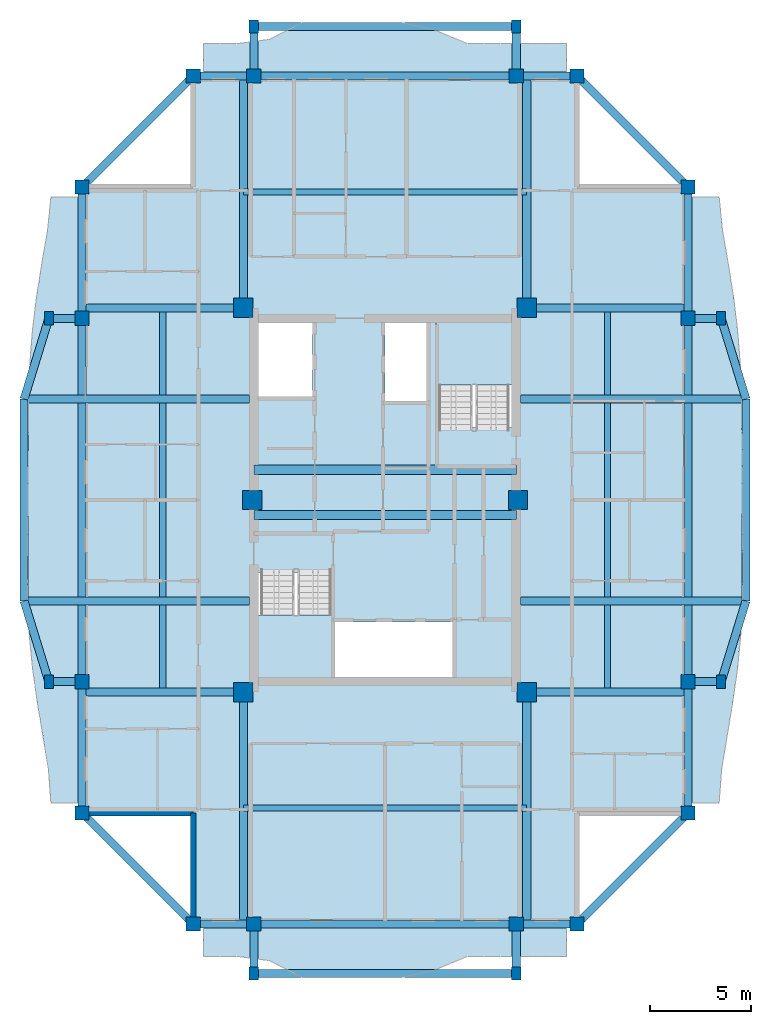
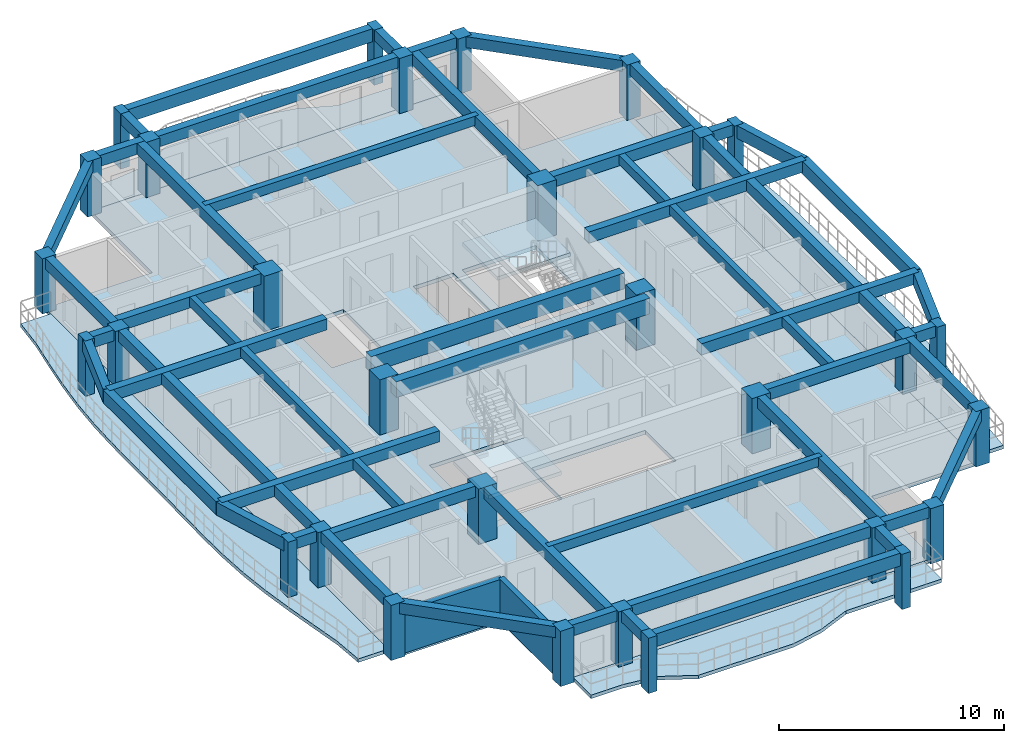
# One storey, part 1 of 12: 50 beams, 30 columns, 7 slabs, 2 walls, 2 elements without a shape of their own.
"""IFC4 building model written with IfcOpenShell, lengths in metres."""

from ifc_helpers import new_model, si_unit, direction, frame, frame_2d, origin, origin_2d, place, context, subcontext, project, spatial, polyline, rectangle, outline, extrude, source, transform, mapped, material, layer, layer_set, material_profile, profile_set, type_object, element, aggregate, save


model = new_model("IFC4")

# Units and contexts
model_context = context("Model", 3, precision=1e-05, world=origin(), true_north=direction((0.0, 1.0)))
body_context = subcontext(model_context, "Body", "Model", "MODEL_VIEW")
ifc_project = project(units=[si_unit("LENGTHUNIT", "METRE"), si_unit("AREAUNIT", "SQUARE_METRE"), si_unit("VOLUMEUNIT", "CUBIC_METRE"), si_unit("PLANEANGLEUNIT", "RADIAN"), si_unit("MASSUNIT", "GRAM", prefix="KILO")], contexts=[model_context])

# Site, building, storey
site_placement = place(None, origin())
site = spatial("IfcSite", under=ifc_project, at=site_placement, CompositionType="ELEMENT")
building_placement = place(site_placement, origin())
building = spatial("IfcBuilding", under=site, at=building_placement, Name="Saelheon Loggia Tower", CompositionType="ELEMENT")
storey_placement = place(building_placement, frame((0.0, 0.0, 240.0)))
storey = spatial("IfcBuildingStorey", under=building, at=storey_placement, Name="L74", CompositionType="ELEMENT", Elevation=240.0)

# Columns
ifc_material_1 = material(Name="Concrete C45/55", Category="concrete")
ifc_material_profile_1 = material_profile(ifc_material_1, rectangle(XDim=0.949951171875, YDim=0.949951171875, at=origin_2d()), Name="RC-950x950")
ifc_profile_set_1 = profile_set([ifc_material_profile_1], Name="Concrete C45/55")
column_type_1 = type_object("IfcColumnType", Name="Col_Core_RC950", PredefinedType="COLUMN", material=ifc_profile_set_1)
shared_shape_1 = source(origin(), body_context, "Body", "SweptSolid", [
    extrude(rectangle(XDim=0.949951171875, YDim=0.949951171875, at=origin_2d()), origin(), (0.0, 0.0, 1.0), 3.0),
])
for number, where, z_axis, x_axis, name in (
    (1, (30.97998046875, 17.47998046875, 0.0), (0.0, 0.0, 1.0), (1.0, 0.0, 0.0), "L74 Core Column CR-SW"),
    (2, (45.02001953125, 17.47998046875, 0.0), (0.0, 0.0, 1.0), (1.0, 0.0, 0.0), "L74 Core Column CR-SE"),
    (3, (30.97998046875, 36.52001953125, 0.0), (0.0, 0.0, 1.0), (1.0, 0.0, 0.0), "L74 Core Column CR-NW"),
    (4, (45.02001953125, 36.52001953125, 0.0), (0.0, 0.0, 1.0), (1.0, 0.0, 0.0), "L74 Core Column CR-NE"),
    (5, (31.419921875, 27.0, 0.0), (0.0, 0.0, 1.0), (1.0, 0.0, 0.0), "L74 Core Column CR-MW"),
    (6, (44.580078125, 27.0, 0.0), (0.0, 0.0, 1.0), (1.0, 0.0, 0.0), "L74 Core Column CR-ME"),
):
    element("IfcColumn", number, at=place(storey_placement, frame(where, z_axis=z_axis, x_axis=x_axis)), inside=storey, type_object=column_type_1, Name=name, PredefinedType="COLUMN", context=body_context, shape_type="MappedRepresentation", body=[
        mapped(shared_shape_1, transform((0.0, 0.0, 0.0), scale=1.0)),
    ])
ifc_material_2 = material(Name="Precast Concrete C45/55", Category="concrete")
ifc_material_profile_2 = material_profile(ifc_material_2, rectangle(XDim=0.449951171875, YDim=0.64990234375, at=origin_2d()), Name="RC-450x650")
ifc_profile_set_2 = profile_set([ifc_material_profile_2], Name="Precast Concrete C45/55")
column_type_2 = type_object("IfcColumnType", Name="Col_Loggia_Pilaster_650", PredefinedType="PILASTER", material=ifc_profile_set_2)
shared_shape_2 = source(origin(), body_context, "Body", "SweptSolid", [
    extrude(rectangle(XDim=0.449951171875, YDim=0.64990234375, at=origin_2d()), origin(), (0.0, 0.0, 1.0), 3.0),
])
for number, where, z_axis, x_axis, name in (
    (7, (31.5, 3.550048828125, 0.0), (0.0, 0.0, 1.0), (1.0, 0.0, 0.0), "L74 Loggia Frame Pilaster LP-S1"),
    (8, (44.5, 3.550048828125, 0.0), (0.0, 0.0, 1.0), (1.0, 0.0, 0.0), "L74 Loggia Frame Pilaster LP-S2"),
    (9, (31.5, 50.449951171875, 0.0), (0.0, 0.0, 1.0), (1.0, 0.0, 0.0), "L74 Loggia Frame Pilaster LP-N1"),
    (10, (44.5, 50.449951171875, 0.0), (0.0, 0.0, 1.0), (1.0, 0.0, 0.0), "L74 Loggia Frame Pilaster LP-N2"),
    (11, (54.64990234375, 18.0, 0.0), (0.0, 0.0, 1.0), (1.0, 0.0, 0.0), "L74 Loggia Frame Pilaster LP-E1"),
    (12, (54.64990234375, 36.0, 0.0), (0.0, 0.0, 1.0), (1.0, 0.0, 0.0), "L74 Loggia Frame Pilaster LP-E2"),
    (13, (21.35009765625, 18.0, 0.0), (0.0, 0.0, 1.0), (1.0, 0.0, 0.0), "L74 Loggia Frame Pilaster LP-W1"),
    (14, (21.35009765625, 36.0, 0.0), (0.0, 0.0, 1.0), (1.0, 0.0, 0.0), "L74 Loggia Frame Pilaster LP-W2"),
):
    element("IfcColumn", number, at=place(storey_placement, frame(where, z_axis=z_axis, x_axis=x_axis)), inside=storey, type_object=column_type_2, Name=name, PredefinedType="PILASTER", context=body_context, shape_type="MappedRepresentation", body=[
        mapped(shared_shape_2, transform((0.0, 0.0, 0.0), scale=1.0)),
    ])
ifc_material_profile_3 = material_profile(ifc_material_1, rectangle(XDim=0.699951171875, YDim=0.699951171875, at=origin_2d()), Name="RC-700x700")
ifc_profile_set_3 = profile_set([ifc_material_profile_3], Name="Concrete C45/55")
column_type_3 = type_object("IfcColumnType", Name="Col_Perim_RC700", PredefinedType="COLUMN", material=ifc_profile_set_3)
shared_shape_3 = source(origin(), body_context, "Body", "SweptSolid", [
    extrude(rectangle(XDim=0.699951171875, YDim=0.699951171875, at=origin_2d()), origin(), (0.0, 0.0, 1.0), 3.0),
])
for number, where, z_axis, x_axis, name in (
    (15, (28.5, 6.0, 0.0), (0.0, 0.0, 1.0), (1.0, 0.0, 0.0), "L74 Perimeter Column TP-S1"),
    (16, (31.5, 6.0, 0.0), (0.0, 0.0, 1.0), (1.0, 0.0, 0.0), "L74 Perimeter Column TP-SA"),
    (17, (44.5, 6.0, 0.0), (0.0, 0.0, 1.0), (1.0, 0.0, 0.0), "L74 Perimeter Column TP-SB"),
    (18, (47.5, 6.0, 0.0), (0.0, 0.0, 1.0), (1.0, 0.0, 0.0), "L74 Perimeter Column TP-S2"),
    (19, (53.0, 11.5, 0.0), (0.0, 0.0, 1.0), (1.0, 0.0, 0.0), "L74 Perimeter Column TP-E1"),
    (20, (53.0, 18.0, 0.0), (0.0, 0.0, 1.0), (1.0, 0.0, 0.0), "L74 Perimeter Column TP-EA"),
    (21, (53.0, 36.0, 0.0), (0.0, 0.0, 1.0), (1.0, 0.0, 0.0), "L74 Perimeter Column TP-EB"),
    (22, (53.0, 42.5, 0.0), (0.0, 0.0, 1.0), (1.0, 0.0, 0.0), "L74 Perimeter Column TP-E2"),
    (23, (47.5, 48.0, 0.0), (0.0, 0.0, 1.0), (1.0, 0.0, 0.0), "L74 Perimeter Column TP-N2"),
    (24, (44.5, 48.0, 0.0), (0.0, 0.0, 1.0), (1.0, 0.0, 0.0), "L74 Perimeter Column TP-NB"),
    (25, (31.5, 48.0, 0.0), (0.0, 0.0, 1.0), (1.0, 0.0, 0.0), "L74 Perimeter Column TP-NA"),
    (26, (28.5, 48.0, 0.0), (0.0, 0.0, 1.0), (1.0, 0.0, 0.0), "L74 Perimeter Column TP-N1"),
    (27, (23.0, 42.5, 0.0), (0.0, 0.0, 1.0), (1.0, 0.0, 0.0), "L74 Perimeter Column TP-W2"),
    (28, (23.0, 36.0, 0.0), (0.0, 0.0, 1.0), (1.0, 0.0, 0.0), "L74 Perimeter Column TP-WB"),
    (29, (23.0, 18.0, 0.0), (0.0, 0.0, 1.0), (1.0, 0.0, 0.0), "L74 Perimeter Column TP-WA"),
    (30, (23.0, 11.5, 0.0), (0.0, 0.0, 1.0), (1.0, 0.0, 0.0), "L74 Perimeter Column TP-W1"),
):
    element("IfcColumn", number, at=place(storey_placement, frame(where, z_axis=z_axis, x_axis=x_axis)), inside=storey, type_object=column_type_3, Name=name, PredefinedType="COLUMN", context=body_context, shape_type="MappedRepresentation", body=[
        mapped(shared_shape_3, transform((0.0, 0.0, 0.0), scale=1.0)),
    ])

# Beams
ifc_material_3 = material(Name="Concrete C50/60", Category="concrete")
ifc_material_profile_4 = material_profile(ifc_material_3, rectangle(XDim=0.449951171875, YDim=0.85009765625, at=origin_2d()), Name="RC-450x850")
ifc_profile_set_4 = profile_set([ifc_material_profile_4], Name="Concrete C50/60")
beam_type_1 = type_object("IfcBeamType", Name="Beam_CoreLintel_RC450x850", PredefinedType="LINTEL", material=ifc_profile_set_4)
shared_shape_4 = source(origin(), body_context, "Body", "SweptSolid", [
    extrude(rectangle(XDim=0.449951171875, YDim=0.85009765625, at=origin_2d()), origin(), (0.0, 0.0, 1.0), 13.0),
])
for number, where, z_axis, x_axis, name in (
    (31, (31.5, 26.25, 2.574951171875), (1.0, 0.0, 0.0), (0.0, 1.0, 0.0), "L74 Core Coupling Lintel 1"),
    (32, (31.5, 28.5, 2.574951171875), (1.0, 0.0, 0.0), (0.0, 1.0, 0.0), "L74 Core Coupling Lintel 2"),
):
    element("IfcBeam", number, at=place(storey_placement, frame(where, z_axis=z_axis, x_axis=x_axis)), inside=storey, type_object=beam_type_1, Name=name, PredefinedType="LINTEL", context=body_context, shape_type="MappedRepresentation", body=[
        mapped(shared_shape_4, transform((0.0, 0.0, 0.0), scale=1.0)),
    ])
ifc_material_profile_5 = material_profile(ifc_material_2, rectangle(XDim=0.39990234375, YDim=0.60009765625, at=origin_2d()), Name="RC-400x600")
ifc_profile_set_5 = profile_set([ifc_material_profile_5], Name="Precast Concrete C45/55")
beam_type_2 = type_object("IfcBeamType", Name="Beam_LoggiaTie_RC400x600", PredefinedType="BEAM", material=ifc_profile_set_5)
shared_shape_5 = source(origin(), body_context, "Body", "SweptSolid", [
    extrude(rectangle(XDim=0.39990234375, YDim=0.60009765625, at=origin_2d()), origin(), (0.0, 0.0, 1.0), 2.449951171875),
])
for number, where, z_axis, x_axis, name in (
    (33, (31.5, 6.0, 2.699951171875), (0.0, -1.0, 0.0), (1.0, 0.0, 0.0), "L74 Loggia Frame Tie Beam LP-S1"),
    (34, (44.5, 6.0, 2.699951171875), (0.0, -1.0, 0.0), (1.0, 0.0, 0.0), "L74 Loggia Frame Tie Beam LP-S2"),
    (35, (31.5, 48.0, 2.699951171875), (0.0, 1.0, 0.0), (-1.0, 0.0, 0.0), "L74 Loggia Frame Tie Beam LP-N1"),
    (36, (44.5, 48.0, 2.699951171875), (0.0, 1.0, 0.0), (-1.0, 0.0, 0.0), "L74 Loggia Frame Tie Beam LP-N2"),
):
    element("IfcBeam", number, at=place(storey_placement, frame(where, z_axis=z_axis, x_axis=x_axis)), inside=storey, type_object=beam_type_2, Name=name, PredefinedType="BEAM", context=body_context, shape_type="MappedRepresentation", body=[
        mapped(shared_shape_5, transform((0.0, 0.0, 0.0), scale=1.0)),
    ])
ifc_material_4 = material(Name="Concrete C40/50", Category="concrete")
ifc_material_profile_6 = material_profile(ifc_material_4, rectangle(XDim=0.300048828125, YDim=0.5, at=origin_2d()), Name="RC-300x500")
ifc_profile_set_6 = profile_set([ifc_material_profile_6], Name="Concrete C40/50")
beam_type_3 = type_object("IfcBeamType", Name="Beam_Joist_RC300x500", PredefinedType="JOIST", material=ifc_profile_set_6)
shared_shape_6 = source(origin(), body_context, "Body", "SweptSolid", [
    extrude(rectangle(XDim=0.300048828125, YDim=0.5, at=origin_2d()), origin(), (0.0, 0.0, 1.0), 14.0400390625),
])
for number, where, z_axis, x_axis, name in (
    (37, (30.97998046875, 11.739990234375, 2.75), (1.0, 0.0, 0.0), (0.0, 1.0, 0.0), "L74 South Floor Joist"),
    (38, (30.97998046875, 42.260009765625, 2.75), (1.0, 0.0, 0.0), (0.0, 1.0, 0.0), "L74 North Floor Joist"),
):
    element("IfcBeam", number, at=place(storey_placement, frame(where, z_axis=z_axis, x_axis=x_axis)), inside=storey, type_object=beam_type_3, Name=name, PredefinedType="JOIST", context=body_context, shape_type="MappedRepresentation", body=[
        mapped(shared_shape_6, transform((0.0, 0.0, 0.0), scale=1.0)),
    ])
shared_shape_7 = source(origin(), body_context, "Body", "SweptSolid", [
    extrude(rectangle(XDim=0.300048828125, YDim=0.5, at=origin_2d()), origin(), (0.0, 0.0, 1.0), 19.0400390625),
])
for number, where, z_axis, x_axis, name in (
    (39, (26.989990234375, 17.47998046875, 2.75), (0.0, 1.0, 0.0), (-1.0, 0.0, 0.0), "L74 West Floor Joist"),
    (40, (49.010009765625, 17.47998046875, 2.75), (0.0, 1.0, 0.0), (-1.0, 0.0, 0.0), "L74 East Floor Joist"),
):
    element("IfcBeam", number, at=place(storey_placement, frame(where, z_axis=z_axis, x_axis=x_axis)), inside=storey, type_object=beam_type_3, Name=name, PredefinedType="JOIST", context=body_context, shape_type="MappedRepresentation", body=[
        mapped(shared_shape_7, transform((0.0, 0.0, 0.0), scale=1.0)),
    ])
shared_shape_8 = source(origin(), body_context, "Body", "SweptSolid", [
    extrude(rectangle(XDim=0.39990234375, YDim=0.60009765625, at=origin_2d()), origin(), (0.0, 0.0, 1.0), 1.64990234375),
])
for number, where, z_axis, x_axis, name in (
    (41, (53.0, 18.0, 2.699951171875), (1.0, 0.0, 0.0), (0.0, 1.0, 0.0), "L74 Loggia Frame Tie Beam LP-E1"),
    (42, (53.0, 36.0, 2.699951171875), (1.0, 0.0, 0.0), (0.0, 1.0, 0.0), "L74 Loggia Frame Tie Beam LP-E2"),
    (43, (23.0, 18.0, 2.699951171875), (-1.0, 0.0, 0.0), (0.0, -1.0, 0.0), "L74 Loggia Frame Tie Beam LP-W1"),
    (44, (23.0, 36.0, 2.699951171875), (-1.0, 0.0, 0.0), (0.0, -1.0, 0.0), "L74 Loggia Frame Tie Beam LP-W2"),
):
    element("IfcBeam", number, at=place(storey_placement, frame(where, z_axis=z_axis, x_axis=x_axis)), inside=storey, type_object=beam_type_2, Name=name, PredefinedType="BEAM", context=body_context, shape_type="MappedRepresentation", body=[
        mapped(shared_shape_8, transform((0.0, 0.0, 0.0), scale=1.0)),
    ])
ifc_material_profile_7 = material_profile(ifc_material_2, rectangle(XDim=0.39990234375, YDim=0.699951171875, at=origin_2d()), Name="RC-400x700")
ifc_profile_set_7 = profile_set([ifc_material_profile_7], Name="Precast Concrete C45/55")
beam_type_4 = type_object("IfcBeamType", Name="Beam_LoggiaSpandrel_RC400x700", PredefinedType="SPANDREL", material=ifc_profile_set_7)
shared_shape_9 = source(origin(), body_context, "Body", "SweptSolid", [
    extrude(rectangle(XDim=0.39990234375, YDim=0.699951171875, at=origin_2d()), origin(), (0.0, 0.0, 1.0), 13.0),
])
for number, where, z_axis, x_axis, name in (
    (45, (31.5, 3.550048828125, 2.64990234375), (1.0, 0.0, 0.0), (0.0, 1.0, 0.0), "L74 Loggia Spandrel Beam S"),
    (46, (31.5, 50.449951171875, 2.64990234375), (1.0, 0.0, 0.0), (0.0, 1.0, 0.0), "L74 Loggia Spandrel Beam N"),
):
    element("IfcBeam", number, at=place(storey_placement, frame(where, z_axis=z_axis, x_axis=x_axis)), inside=storey, type_object=beam_type_4, Name=name, PredefinedType="SPANDREL", context=body_context, shape_type="MappedRepresentation", body=[
        mapped(shared_shape_9, transform((0.0, 0.0, 0.0), scale=1.0)),
    ])
shared_shape_10 = source(origin(), body_context, "Body", "SweptSolid", [
    extrude(rectangle(XDim=0.39990234375, YDim=0.699951171875, at=origin_2d()), origin(), (0.0, 0.0, 1.0), 4.184814453125),
])
for number, where, z_axis, x_axis, name in (
    (47, (54.64990234375, 18.0, 2.64990234375), (0.293913664135, 0.955831971653, 0.0), (-0.955831971653, 0.293913664135, 0.0), "L74 Curved Loggia Spandrel E 1"),
    (48, (55.8798828125, 32.0, 2.64990234375), (-0.293913664135, 0.955831971653, 0.0), (-0.955831971653, -0.293913664135, 0.0), "L74 Curved Loggia Spandrel E 3"),
    (49, (21.35009765625, 18.0, 2.64990234375), (-0.293913664135, 0.955831971653, 0.0), (-0.955831971653, -0.293913664135, 0.0), "L74 Curved Loggia Spandrel W 1"),
    (50, (20.1201171875, 32.0, 2.64990234375), (0.293913664135, 0.955831971653, 0.0), (-0.955831971653, 0.293913664135, 0.0), "L74 Curved Loggia Spandrel W 3"),
):
    element("IfcBeam", number, at=place(storey_placement, frame(where, z_axis=z_axis, x_axis=x_axis)), inside=storey, type_object=beam_type_4, Name=name, PredefinedType="SPANDREL", context=body_context, shape_type="MappedRepresentation", body=[
        mapped(shared_shape_10, transform((0.0, 0.0, 0.0), scale=1.0)),
    ])
shared_shape_11 = source(origin(), body_context, "Body", "SweptSolid", [
    extrude(rectangle(XDim=0.39990234375, YDim=0.699951171875, at=origin_2d()), origin(), (0.0, 0.0, 1.0), 10.0),
])
for number, where, z_axis, x_axis, name in (
    (51, (55.8798828125, 22.0, 2.64990234375), (0.0, 1.0, 0.0), (-1.0, 0.0, 0.0), "L74 Curved Loggia Spandrel E 2"),
    (52, (20.1201171875, 22.0, 2.64990234375), (0.0, 1.0, 0.0), (-1.0, 0.0, 0.0), "L74 Curved Loggia Spandrel W 2"),
):
    element("IfcBeam", number, at=place(storey_placement, frame(where, z_axis=z_axis, x_axis=x_axis)), inside=storey, type_object=beam_type_4, Name=name, PredefinedType="SPANDREL", context=body_context, shape_type="MappedRepresentation", body=[
        mapped(shared_shape_11, transform((0.0, 0.0, 0.0), scale=1.0)),
    ])
ifc_material_profile_8 = material_profile(ifc_material_4, rectangle(XDim=0.39990234375, YDim=0.60009765625, at=origin_2d()), Name="RC-400x600")
ifc_profile_set_8 = profile_set([ifc_material_profile_8], Name="Concrete C40/50")
beam_type_5 = type_object("IfcBeamType", Name="Beam_PerimUpper_RC400x600", PredefinedType="BEAM", material=ifc_profile_set_8)
shared_shape_12 = source(origin(), body_context, "Body", "SweptSolid", [
    extrude(rectangle(XDim=0.39990234375, YDim=0.60009765625, at=origin_2d()), origin(), (0.0, 0.0, 1.0), 13.0),
])
for number, where, z_axis, x_axis, name in (
    (53, (31.5, 6.0, 2.699951171875), (1.0, 0.0, 0.0), (0.0, 1.0, 0.0), "L74 Perimeter Frame Girder 02"),
    (54, (44.5, 48.0, 2.699951171875), (-1.0, 0.0, 0.0), (0.0, -1.0, 0.0), "L74 Perimeter Frame Girder 10"),
):
    element("IfcBeam", number, at=place(storey_placement, frame(where, z_axis=z_axis, x_axis=x_axis)), inside=storey, type_object=beam_type_5, Name=name, PredefinedType="BEAM", context=body_context, shape_type="MappedRepresentation", body=[
        mapped(shared_shape_12, transform((0.0, 0.0, 0.0), scale=1.0)),
    ])
shared_shape_13 = source(origin(), body_context, "Body", "SweptSolid", [
    extrude(rectangle(XDim=0.39990234375, YDim=0.60009765625, at=origin_2d()), origin(), (0.0, 0.0, 1.0), 18.0),
])
for number, where, z_axis, x_axis, name in (
    (55, (53.0, 18.0, 2.699951171875), (0.0, 1.0, 0.0), (-1.0, 0.0, 0.0), "L74 Perimeter Frame Girder 06"),
    (56, (23.0, 36.0, 2.699951171875), (0.0, -1.0, 0.0), (1.0, 0.0, 0.0), "L74 Perimeter Frame Girder 14"),
):
    element("IfcBeam", number, at=place(storey_placement, frame(where, z_axis=z_axis, x_axis=x_axis)), inside=storey, type_object=beam_type_5, Name=name, PredefinedType="BEAM", context=body_context, shape_type="MappedRepresentation", body=[
        mapped(shared_shape_13, transform((0.0, 0.0, 0.0), scale=1.0)),
    ])
ifc_material_profile_9 = material_profile(ifc_material_4, rectangle(XDim=0.39990234375, YDim=0.60009765625, at=origin_2d()), Name="RC-400x600")
ifc_profile_set_9 = profile_set([ifc_material_profile_9], Name="Concrete C40/50")
beam_type_6 = type_object("IfcBeamType", Name="Beam_UpperGirder_RC400x600", PredefinedType="BEAM", material=ifc_profile_set_9)
shared_shape_14 = source(origin(), body_context, "Body", "SweptSolid", [
    extrude(rectangle(XDim=0.39990234375, YDim=0.60009765625, at=origin_2d()), origin(), (0.0, 0.0, 1.0), 11.47998046875),
])
for number, where, z_axis, x_axis, name in (
    (57, (30.97998046875, 17.47998046875, 2.699951171875), (0.0, -1.0, 0.0), (1.0, 0.0, 0.0), "L74 Radial Floor Girder RAD-SW-S"),
    (58, (45.02001953125, 17.47998046875, 2.699951171875), (0.0, -1.0, 0.0), (1.0, 0.0, 0.0), "L74 Radial Floor Girder RAD-SE-S"),
    (59, (30.97998046875, 36.52001953125, 2.699951171875), (0.0, 1.0, 0.0), (-1.0, 0.0, 0.0), "L74 Radial Floor Girder RAD-NW-N"),
    (60, (45.02001953125, 36.52001953125, 2.699951171875), (0.0, 1.0, 0.0), (-1.0, 0.0, 0.0), "L74 Radial Floor Girder RAD-NE-N"),
):
    element("IfcBeam", number, at=place(storey_placement, frame(where, z_axis=z_axis, x_axis=x_axis)), inside=storey, type_object=beam_type_6, Name=name, PredefinedType="BEAM", context=body_context, shape_type="MappedRepresentation", body=[
        mapped(shared_shape_14, transform((0.0, 0.0, 0.0), scale=1.0)),
    ])
shared_shape_15 = source(origin(), body_context, "Body", "SweptSolid", [
    extrude(rectangle(XDim=0.39990234375, YDim=0.60009765625, at=origin_2d()), origin(), (0.0, 0.0, 1.0), 6.5),
])
for number, where, z_axis, x_axis, name in (
    (61, (53.0, 11.5, 2.699951171875), (0.0, 1.0, 0.0), (-1.0, 0.0, 0.0), "L74 Perimeter Frame Girder 05"),
    (62, (53.0, 36.0, 2.699951171875), (0.0, 1.0, 0.0), (-1.0, 0.0, 0.0), "L74 Perimeter Frame Girder 07"),
    (63, (23.0, 42.5, 2.699951171875), (0.0, -1.0, 0.0), (1.0, 0.0, 0.0), "L74 Perimeter Frame Girder 13"),
    (64, (23.0, 18.0, 2.699951171875), (0.0, -1.0, 0.0), (1.0, 0.0, 0.0), "L74 Perimeter Frame Girder 15"),
):
    element("IfcBeam", number, at=place(storey_placement, frame(where, z_axis=z_axis, x_axis=x_axis)), inside=storey, type_object=beam_type_5, Name=name, PredefinedType="BEAM", context=body_context, shape_type="MappedRepresentation", body=[
        mapped(shared_shape_15, transform((0.0, 0.0, 0.0), scale=1.0)),
    ])
shared_shape_16 = source(origin(), body_context, "Body", "SweptSolid", [
    extrude(rectangle(XDim=0.39990234375, YDim=0.60009765625, at=origin_2d()), origin(), (0.0, 0.0, 1.0), 7.778076171875),
])
for number, where, z_axis, x_axis, name in (
    (65, (47.5, 6.0, 2.699951171875), (0.707106781187, 0.707106781187, 0.0), (-0.707106781187, 0.707106781187, 0.0), "L74 Perimeter Frame Girder 04"),
    (66, (53.0, 42.5, 2.699951171875), (-0.707106781187, 0.707106781187, 0.0), (-0.707106781187, -0.707106781187, 0.0), "L74 Perimeter Frame Girder 08"),
    (67, (28.5, 48.0, 2.699951171875), (-0.707106781187, -0.707106781187, 0.0), (0.707106781187, -0.707106781187, 0.0), "L74 Perimeter Frame Girder 12"),
    (68, (23.0, 11.5, 2.699951171875), (0.707106781187, -0.707106781187, 0.0), (0.707106781187, 0.707106781187, 0.0), "L74 Perimeter Frame Girder 16"),
):
    element("IfcBeam", number, at=place(storey_placement, frame(where, z_axis=z_axis, x_axis=x_axis)), inside=storey, type_object=beam_type_5, Name=name, PredefinedType="BEAM", context=body_context, shape_type="MappedRepresentation", body=[
        mapped(shared_shape_16, transform((0.0, 0.0, 0.0), scale=1.0)),
    ])
shared_shape_17 = source(origin(), body_context, "Body", "SweptSolid", [
    extrude(rectangle(XDim=0.39990234375, YDim=0.60009765625, at=origin_2d()), origin(), (0.0, 0.0, 1.0), 3.0),
])
for number, where, z_axis, x_axis, name in (
    (69, (28.5, 6.0, 2.699951171875), (1.0, 0.0, 0.0), (0.0, 1.0, 0.0), "L74 Perimeter Frame Girder 01"),
    (70, (44.5, 6.0, 2.699951171875), (1.0, 0.0, 0.0), (0.0, 1.0, 0.0), "L74 Perimeter Frame Girder 03"),
    (71, (47.5, 48.0, 2.699951171875), (-1.0, 0.0, 0.0), (0.0, -1.0, 0.0), "L74 Perimeter Frame Girder 09"),
    (72, (31.5, 48.0, 2.699951171875), (-1.0, 0.0, 0.0), (0.0, -1.0, 0.0), "L74 Perimeter Frame Girder 11"),
):
    element("IfcBeam", number, at=place(storey_placement, frame(where, z_axis=z_axis, x_axis=x_axis)), inside=storey, type_object=beam_type_5, Name=name, PredefinedType="BEAM", context=body_context, shape_type="MappedRepresentation", body=[
        mapped(shared_shape_17, transform((0.0, 0.0, 0.0), scale=1.0)),
    ])
shared_shape_18 = source(origin(), body_context, "Body", "SweptSolid", [
    extrude(rectangle(XDim=0.39990234375, YDim=0.60009765625, at=origin_2d()), origin(), (0.0, 0.0, 1.0), 7.97998046875),
])
for number, where, z_axis, x_axis, name in (
    (73, (30.97998046875, 17.47998046875, 2.699951171875), (-1.0, 0.0, 0.0), (0.0, -1.0, 0.0), "L74 Radial Floor Girder RAD-SW-W"),
    (74, (30.97998046875, 36.52001953125, 2.699951171875), (-1.0, 0.0, 0.0), (0.0, -1.0, 0.0), "L74 Radial Floor Girder RAD-NW-W"),
    (75, (45.02001953125, 17.47998046875, 2.699951171875), (1.0, 0.0, 0.0), (0.0, 1.0, 0.0), "L74 Radial Floor Girder RAD-SE-E"),
    (76, (45.02001953125, 36.52001953125, 2.699951171875), (1.0, 0.0, 0.0), (0.0, 1.0, 0.0), "L74 Radial Floor Girder RAD-NE-E"),
):
    element("IfcBeam", number, at=place(storey_placement, frame(where, z_axis=z_axis, x_axis=x_axis)), inside=storey, type_object=beam_type_6, Name=name, PredefinedType="BEAM", context=body_context, shape_type="MappedRepresentation", body=[
        mapped(shared_shape_18, transform((0.0, 0.0, 0.0), scale=1.0)),
    ])
shared_shape_19 = source(origin(), body_context, "Body", "SweptSolid", [
    extrude(rectangle(XDim=0.39990234375, YDim=0.60009765625, at=origin_2d()), origin(), (0.0, 0.0, 1.0), 11.159912109375),
])
for number, where, z_axis, x_axis, name in (
    (77, (44.719970703125, 22.0, 2.699951171875), (1.0, 0.0, 0.0), (0.0, 1.0, 0.0), "L74 Curved Facade Outrigger Beam E 1"),
    (78, (44.719970703125, 32.0, 2.699951171875), (1.0, 0.0, 0.0), (0.0, 1.0, 0.0), "L74 Curved Facade Outrigger Beam E 2"),
    (79, (31.280029296875, 22.0, 2.699951171875), (-1.0, 0.0, 0.0), (0.0, -1.0, 0.0), "L74 Curved Facade Outrigger Beam W 1"),
    (80, (31.280029296875, 32.0, 2.699951171875), (-1.0, 0.0, 0.0), (0.0, -1.0, 0.0), "L74 Curved Facade Outrigger Beam W 2"),
):
    element("IfcBeam", number, at=place(storey_placement, frame(where, z_axis=z_axis, x_axis=x_axis)), inside=storey, type_object=beam_type_2, Name=name, PredefinedType="BEAM", context=body_context, shape_type="MappedRepresentation", body=[
        mapped(shared_shape_19, transform((0.0, 0.0, 0.0), scale=1.0)),
    ])

# Slabs
ifc_layer_1 = layer(ifc_material_2, 0.18994140625)
ifc_layer_set_1 = layer_set([ifc_layer_1], Name="Precast Concrete C45/55")
slab_type_1 = type_object("IfcSlabType", Name="Slab_Loggia_Ext_190", PredefinedType="FLOOR", material=ifc_layer_set_1)
slab_1_placement = place(storey_placement, frame((0.0, 0.0, -0.18994140625)))
element("IfcSlab", 81, at=slab_1_placement, inside=storey, type_object=slab_type_1, Name="L74 Loggia Balcony Slab S", PredefinedType="FLOOR", context=body_context, shape_type="SweptSolid", body=[
    extrude(outline(polyline([(29.0, 4.39990234375), (30.636474609375, 4.39990234375), (32.272705078125, 4.1875), (33.9091796875, 3.35009765625), (35.54541015625, 3.35009765625), (37.181884765625, 3.35009765625), (38.818115234375, 3.35009765625), (40.45458984375, 3.716796875), (42.0908203125, 4.39990234375), (43.727294921875, 4.39990234375), (45.363525390625, 4.39990234375), (47.0, 4.39990234375), (47.0, 6.0), (29.0, 6.0), (29.0, 4.39990234375)])), origin(), (0.0, 0.0, 1.0), 0.18994140625),
])
slab_2_placement = place(storey_placement, frame((0.0, 0.0, -0.18994140625)))
element("IfcSlab", 82, at=slab_2_placement, inside=storey, type_object=slab_type_1, Name="L74 Loggia Balcony Slab N", PredefinedType="FLOOR", context=body_context, shape_type="SweptSolid", body=[
    extrude(outline(polyline([(29.0, 48.0), (47.0, 48.0), (47.0, 49.60009765625), (45.363525390625, 49.60009765625), (43.727294921875, 49.60009765625), (42.0908203125, 49.60009765625), (40.45458984375, 50.283203125), (38.818115234375, 50.64990234375), (37.181884765625, 50.64990234375), (35.54541015625, 50.64990234375), (33.9091796875, 50.64990234375), (32.272705078125, 49.8125), (30.636474609375, 49.60009765625), (29.0, 49.60009765625), (29.0, 48.0)])), origin(), (0.0, 0.0, 1.0), 0.18994140625),
])
slab_3_placement = place(storey_placement, frame((0.0, 0.0, -0.18994140625)))
element("IfcSlab", 83, at=slab_3_placement, inside=storey, type_object=slab_type_1, Name="L74 Loggia Balcony Slab E", PredefinedType="FLOOR", context=body_context, shape_type="SweptSolid", body=[
    extrude(outline(polyline([(53.0, 12.0), (54.550048828125, 12.0), (54.673095703125, 13.666748046875), (54.950439453125, 15.333251953125), (55.226318359375, 17.0), (55.461181640625, 18.666748046875), (55.624755859375, 20.333251953125), (55.70849609375, 22.0), (55.726318359375, 23.666748046875), (55.70751953125, 25.333251953125), (55.68359375, 27.0), (55.671875, 28.666748046875), (55.67041015625, 30.333251953125), (55.656494140625, 32.0), (55.599609375, 33.666748046875), (55.473388671875, 35.333251953125), (55.27099609375, 37.0), (55.0078125, 38.666748046875), (54.718505859375, 40.333251953125), (54.550048828125, 42.0), (53.0, 42.0), (53.0, 12.0)])), origin(), (0.0, 0.0, 1.0), 0.18994140625),
])
slab_4_placement = place(storey_placement, frame((0.0, 0.0, -0.18994140625)))
element("IfcSlab", 84, at=slab_4_placement, inside=storey, type_object=slab_type_1, Name="L74 Loggia Balcony Slab W", PredefinedType="FLOOR", context=body_context, shape_type="SweptSolid", body=[
    extrude(outline(polyline([(23.0, 12.0), (23.0, 42.0), (21.449951171875, 42.0), (21.281494140625, 40.333251953125), (20.9921875, 38.666748046875), (20.72900390625, 37.0), (20.526611328125, 35.333251953125), (20.400390625, 33.666748046875), (20.343505859375, 32.0), (20.32958984375, 30.333251953125), (20.328125, 28.666748046875), (20.31640625, 27.0), (20.29248046875, 25.333251953125), (20.273681640625, 23.666748046875), (20.29150390625, 22.0), (20.375244140625, 20.333251953125), (20.538818359375, 18.666748046875), (20.773681640625, 17.0), (21.049560546875, 15.333251953125), (21.326904296875, 13.666748046875), (21.449951171875, 12.0), (23.0, 12.0)])), origin(), (0.0, 0.0, 1.0), 0.18994140625),
])

# Stair, slab
stair_type = type_object("IfcStairType", Name="Stair_Escape_Core", PredefinedType="HALF_TURN_STAIR", material=ifc_material_4)
stair_1_placement = place(storey_placement, origin())
stair_1 = element("IfcStair", 85, at=stair_1_placement, inside=storey, type_object=stair_type, Name="L74 Special Escape Stair ST1", PredefinedType="HALF_TURN_STAIR")
ifc_layer_2 = layer(ifc_material_4, 0.199951171875)
ifc_layer_set_2 = layer_set([ifc_layer_2], Name="Concrete C40/50")
slab_type_2 = type_object("IfcSlabType", Name="Slab_StairLanding_ST1", PredefinedType="LANDING", material=ifc_layer_set_2)
slab_5_placement = place(storey_placement, frame((0.0, 0.0, 1.300048828125)))
slab_5 = element("IfcSlab", 86, at=slab_5_placement, type_object=slab_type_2, Name="ST1 landing 1", PredefinedType="LANDING", context=body_context, shape_type="SweptSolid", body=[
    extrude(outline(polyline([(31.7099609375, 21.31005859375), (31.7099609375, 18.2099609375), (35.469970703125, 18.2099609375), (35.469970703125, 21.31005859375), (31.7099609375, 21.31005859375)])), origin(), (0.0, 0.0, 1.0), 0.199951171875),
])
aggregate(stair_1, [slab_5])

stair_2_placement = place(storey_placement, origin())
stair_2 = element("IfcStair", 87, at=stair_2_placement, inside=storey, type_object=stair_type, Name="L74 Special Escape Stair ST2", PredefinedType="HALF_TURN_STAIR")
ifc_layer_3 = layer(ifc_material_4, 0.199951171875)
ifc_layer_set_3 = layer_set([ifc_layer_3], Name="Concrete C40/50")
slab_type_3 = type_object("IfcSlabType", Name="Slab_StairLanding_ST2", PredefinedType="LANDING", material=ifc_layer_set_3)
slab_6_placement = place(storey_placement, frame((0.0, 0.0, 1.300048828125)))
slab_6 = element("IfcSlab", 88, at=slab_6_placement, type_object=slab_type_3, Name="ST2 landing 1", PredefinedType="LANDING", context=body_context, shape_type="SweptSolid", body=[
    extrude(outline(polyline([(44.2900390625, 32.68994140625), (44.2900390625, 35.7900390625), (40.530029296875, 35.7900390625), (40.530029296875, 32.68994140625), (44.2900390625, 32.68994140625)])), origin(), (0.0, 0.0, 1.0), 0.199951171875),
])
aggregate(stair_2, [slab_6])

# Slab
ifc_layer_4 = layer(ifc_material_4, 0.2099609375)
ifc_layer_set_4 = layer_set([ifc_layer_4], Name="Concrete C40/50")
slab_type_4 = type_object("IfcSlabType", Name="Slab_Tower_210", PredefinedType="FLOOR", material=ifc_layer_set_4)
slab_7_placement = place(storey_placement, frame((0.0, 0.0, -0.2099609375)))
element("IfcSlab", 89, at=slab_7_placement, inside=storey, type_object=slab_type_4, Name="L74 Tower Floor Slab", PredefinedType="FLOOR", context=body_context, shape_type="SweptSolid", body=[
    extrude(outline(polyline([(28.5, 6.0), (47.5, 6.0), (47.5, 11.5), (53.0, 11.5), (53.0, 42.5), (47.5, 42.5), (47.5, 48.0), (28.5, 48.0), (28.5, 42.5), (23.0, 42.5), (23.0, 11.5), (28.5, 11.5), (28.5, 6.0)]), holes=[polyline([(31.699951171875, 23.409912109375), (31.699951171875, 18.199951171875), (35.47998046875, 18.199951171875), (35.47998046875, 23.409912109375), (31.699951171875, 23.409912109375)]), polyline([(44.300048828125, 30.590087890625), (44.300048828125, 35.800048828125), (40.52001953125, 35.800048828125), (40.52001953125, 30.590087890625), (44.300048828125, 30.590087890625)]), polyline([(35.530029296875, 18.22509765625), (41.35009765625, 18.22509765625), (41.35009765625, 20.9599609375), (35.530029296875, 20.9599609375), (35.530029296875, 18.22509765625)]), polyline([(31.72509765625, 32.1201171875), (34.419921875, 32.1201171875), (34.419921875, 35.77490234375), (31.72509765625, 35.77490234375), (31.72509765625, 32.1201171875)]), polyline([(38.0, 31.89990234375), (40.050048828125, 31.89990234375), (40.050048828125, 35.77490234375), (38.0, 35.77490234375), (38.0, 31.89990234375)])]), origin(), (0.0, 0.0, 1.0), 0.2099609375),
])

# Walls
ifc_material_5 = material(Name="Architectural Precast Concrete C40/50", Category="concrete")
ifc_layer_5 = layer(ifc_material_5, 0.280029296875)
ifc_layer_set_5 = layer_set([ifc_layer_5], Name="Architectural Precast Concrete C40/50")
wall_type = type_object("IfcWallType", Name="Wall_Ext_Loggia_280", PredefinedType="SOLIDWALL", material=ifc_layer_set_5)
for number, where, z_axis, x_axis, name in (
    (90, (28.5, 6.080078125, 0.0), (0.0, 0.0, 1.0), (0.0, 1.0, 0.0), "L74 Corner Notch Precast Wall SW1"),
    (91, (23.080078125, 11.5, 0.0), (0.0, 0.0, 1.0), (1.0, 0.0, 0.0), "L74 Corner Notch Precast Wall SW2"),
):
    element("IfcWall", number, at=place(storey_placement, frame(where, z_axis=z_axis, x_axis=x_axis)), inside=storey, type_object=wall_type, Name=name, PredefinedType="SOLIDWALL", context=body_context, shape_type="SweptSolid", body=[
        extrude(rectangle(XDim=5.419921875, YDim=0.280029296875, at=frame_2d((2.7099609375, 0.0))), origin(), (0.0, 0.0, 1.0), 2.280029296875),
    ])

save(model, "model.ifc")
